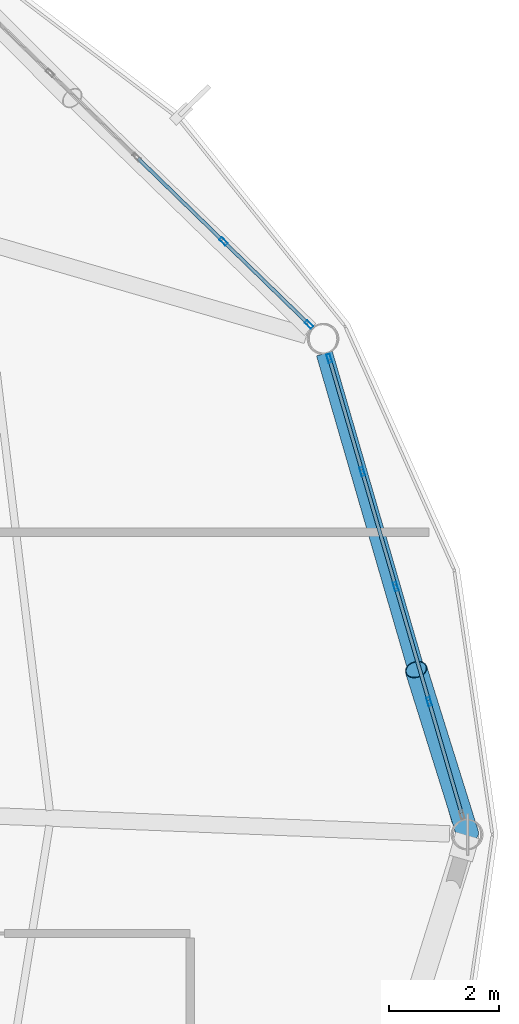
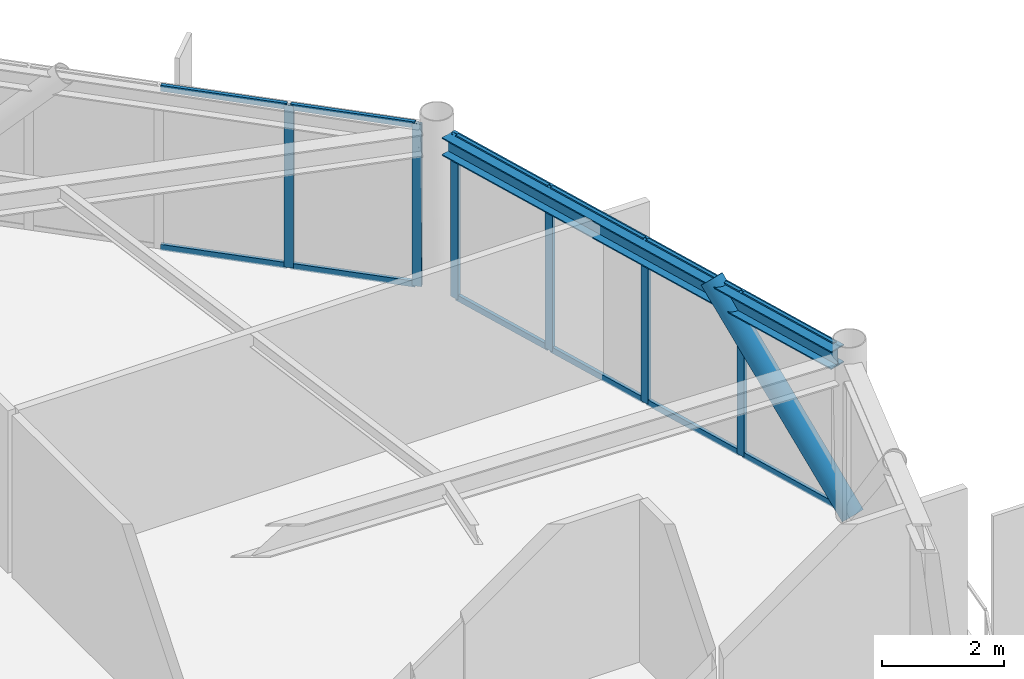
# One storey, part 17 of 28: 19 members, 1 beam, 2 elements without a shape of their own.
"""IFC4 building model written with IfcOpenShell, lengths in metres."""

import ifcopenshell
import ifcopenshell.guid

model = None  # the IFC model being written
_history = None  # IfcOwnerHistory: only IFC2X3 demands one
_inside = {}  # id of a spatial element -> (the spatial element, [elements in it])
_under = {}  # id of a project, library or spatial element -> (it, [spatial elements below it])
_declared = {}  # id of a project -> (the project, [libraries it declares])
_typed = {}  # id of a type object -> (the type object, [elements of that type])
_made_of = {}  # id of a material, layer set ... -> (it, [elements and type objects made of it])


def new_model(schema):
    """Start an empty IFC model of exactly this schema.

    Asked for "IFC4X3", IfcOpenShell would pick the latest addendum, in which some entities
    have other attributes; the version numbers below select the first issue.
    IFC2X3 requires an IfcOwnerHistory on every rooted entity: one is made here for all.
    """
    global model, _history
    if schema == "IFC4X3":
        model = ifcopenshell.file(schema_version=(4, 3, 0, 0))
    else:
        model = ifcopenshell.file(schema=schema)
    _inside.clear()
    _under.clear()
    _declared.clear()
    _typed.clear()
    _made_of.clear()
    _history = None
    if model.schema == "IFC2X3":
        org = make("IfcOrganization", Name="unknown")
        user = make(
            "IfcPersonAndOrganization",
            ThePerson=make("IfcPerson", FamilyName="unknown"),
            TheOrganization=org,
        )
        app = make(
            "IfcApplication",
            ApplicationDeveloper=org,
            Version="unknown",
            ApplicationFullName="unknown",
            ApplicationIdentifier="unknown",
        )
        _history = make(
            "IfcOwnerHistory",
            OwningUser=user,
            OwningApplication=app,
            ChangeAction="ADDED",
            CreationDate=0,
        )
    return model


def make(cls, **values):
    """One entity of the class cls with the attributes given. An attribute that is None is left unset."""
    return model.create_entity(
        cls, **{name: value for name, value in values.items() if value is not None}
    )


def rooted(cls, **values):
    """An entity with a GlobalId (a new one), such as an element, a storey or a relation."""
    return make(cls, GlobalId=ifcopenshell.guid.new(), OwnerHistory=_history, **values)


def si_unit(unit_type, name, prefix=None):
    """IfcSIUnit, for example si_unit("LENGTHUNIT", "METRE", prefix="MILLI")."""
    return make("IfcSIUnit", UnitType=unit_type, Prefix=prefix, Name=name)


def assignment(units):
    """IfcUnitAssignment: the units of a project."""
    return None if units is None else make("IfcUnitAssignment", Units=units)


def point(xyz):
    """IfcCartesianPoint."""
    return None if xyz is None else make("IfcCartesianPoint", Coordinates=xyz)


def direction(xyz):
    """IfcDirection."""
    return None if xyz is None else make("IfcDirection", DirectionRatios=xyz)


def frame(location, z_axis=None, x_axis=None):
    """IfcAxis2Placement3D, a coordinate frame: its origin and axes. An axis left out is left unset."""
    return make(
        "IfcAxis2Placement3D",
        Location=point(location),
        Axis=direction(z_axis),
        RefDirection=direction(x_axis),
    )


def frame_2d(location, x_axis=None):
    """IfcAxis2Placement2D, a coordinate frame in the plane: its origin and x axis."""
    return make(
        "IfcAxis2Placement2D", Location=point(location), RefDirection=direction(x_axis)
    )


def origin():
    """The frame at (0, 0, 0) with its axes left unset."""
    return frame((0.0, 0.0, 0.0))


def origin_2d():
    """The frame at (0, 0) in the plane with its x axis left unset."""
    return frame_2d((0.0, 0.0))


def place(relative_to, where):
    """IfcLocalPlacement: puts the frame where relative to a parent placement (None: the world)."""
    return make(
        "IfcLocalPlacement", PlacementRelTo=relative_to, RelativePlacement=where
    )


def context(
    kind, dimensions, precision=None, world=None, true_north=None, identifier=None
):
    """IfcGeometricRepresentationContext, for example the 3D "Model" context."""
    return make(
        "IfcGeometricRepresentationContext",
        ContextIdentifier=identifier,
        ContextType=kind,
        CoordinateSpaceDimension=dimensions,
        Precision=precision,
        WorldCoordinateSystem=world,
        TrueNorth=true_north,
    )


def subcontext(parent, identifier, kind, view, scale=None):
    """IfcGeometricRepresentationSubContext, for example "Body" below "Model"."""
    return make(
        "IfcGeometricRepresentationSubContext",
        ContextIdentifier=identifier,
        ContextType=kind,
        ParentContext=parent,
        TargetScale=scale,
        TargetView=view,
    )


def project(units=None, contexts=None):
    """IfcProject with its units and contexts."""
    return rooted(
        "IfcProject",
        Name="project",
        RepresentationContexts=contexts,
        UnitsInContext=assignment(units),
    )


def spatial(cls, under=None, at=None, **own):
    """A site, building, storey or space (cls), placed at a placement, below another one or the project."""
    s = rooted(cls, ObjectPlacement=at, **own)
    if under is not None:
        _under.setdefault(under.id(), (under, []))[1].append(s)
    return s


def profile(cls, at=None, kind="AREA", **sizes):
    """A parametric profile (cls). Its sizes go by their IFC names, for example OverallWidth=200.0."""
    return make(cls, ProfileType=kind, Position=at, **sizes)


def hollow_rectangle(**sizes):
    """IfcRectangleHollowProfileDef."""
    return profile("IfcRectangleHollowProfileDef", **sizes)


def hollow_circle(**sizes):
    """IfcCircleHollowProfileDef."""
    return profile("IfcCircleHollowProfileDef", **sizes)


def i_section(**sizes):
    """IfcIShapeProfileDef."""
    return profile("IfcIShapeProfileDef", **sizes)


def extrude(swept, where, along, depth):
    """IfcExtrudedAreaSolid: the profile swept, set in the frame where, extruded along a direction by depth."""
    return make(
        "IfcExtrudedAreaSolid",
        SweptArea=swept,
        Position=where,
        ExtrudedDirection=direction(along),
        Depth=depth,
    )


def shape(context_of_items, identifier, shape_type, items):
    """IfcShapeRepresentation: the items that make up one representation, for example the "Body"."""
    return make(
        "IfcShapeRepresentation",
        ContextOfItems=context_of_items,
        RepresentationIdentifier=identifier,
        RepresentationType=shape_type,
        Items=items,
    )


def material(Name=None, Category=None):
    """IfcMaterial."""
    return make("IfcMaterial", Name=Name, Category=Category)


def layer(
    of_material, thickness, ventilated=None, Name=None, Category=None, Priority=None
):
    """IfcMaterialLayer: one layer of a wall or slab, of a material (None: an air gap)."""
    return make(
        "IfcMaterialLayer",
        Material=of_material,
        LayerThickness=thickness,
        IsVentilated=ventilated,
        Name=Name,
        Category=Category,
        Priority=Priority,
    )


def layer_set(layers, Name=None):
    """IfcMaterialLayerSet."""
    return make("IfcMaterialLayerSet", MaterialLayers=layers, LayerSetName=Name)


def material_profile(
    of_material, cross_section, Name=None, Category=None, Priority=None
):
    """IfcMaterialProfile: a cross section and its material."""
    return make(
        "IfcMaterialProfile",
        Name=Name,
        Material=of_material,
        Profile=cross_section,
        Priority=Priority,
        Category=Category,
    )


def profile_set(profiles, Name=None, composite=None):
    """IfcMaterialProfileSet."""
    return make(
        "IfcMaterialProfileSet",
        Name=Name,
        MaterialProfiles=profiles,
        CompositeProfile=composite,
    )


def made_of(thing, what):
    """Note that an element or type object is made of a material, layer set ...; save() writes the relation."""
    if what is not None:
        _made_of.setdefault(what.id(), (what, []))[1].append(thing)
    return thing


def type_object(cls, material=None, **own):
    """A type object (cls), such as IfcWallType, which elements share."""
    return made_of(rooted(cls, **own), material)


def element(
    cls,
    number,
    at=None,
    inside=None,
    cuts=None,
    type_object=None,
    material=None,
    context=None,
    identifier="Body",
    shape_type=None,
    held_by="IfcProductDefinitionShape",
    body=None,
    shapes=None,
    **own,
):
    """One element of the class cls, such as IfcWall. Its Tag is "e" and its number.

    at: its placement. inside: the storey or other place that contains it. cuts: it is an
    opening in that element (IfcRelVoidsElement). A single representation is given by context,
    identifier, shape_type and body (its items); several are given by shapes. held_by: the class
    of the entity that holds the representations. save() writes the other relations.
    """
    e = rooted(cls, Tag="e%d" % number, ObjectPlacement=at, **own)
    if body is not None:
        shapes = [shape(context, identifier, shape_type, body)]
    if shapes is not None:
        e.Representation = make(held_by, Representations=shapes)
    if inside is not None:
        _inside.setdefault(inside.id(), (inside, []))[1].append(e)
    if cuts is not None:
        rooted(
            "IfcRelVoidsElement", RelatingBuildingElement=cuts, RelatedOpeningElement=e
        )
    if type_object is not None:
        _typed.setdefault(type_object.id(), (type_object, []))[1].append(e)
    return made_of(e, material)


def aggregate(whole, parts):
    """IfcRelAggregates: a whole, such as a stair, and the parts it consists of."""
    return rooted("IfcRelAggregates", RelatingObject=whole, RelatedObjects=parts)


def save(model, path):
    """Write the relations noted so far, then the file.

    IfcRelAggregates (storeys below a building ...), IfcRelContainedInSpatialStructure (elements
    in a storey), IfcRelDefinesByType, IfcRelAssociatesMaterial and IfcRelDeclares: one each for
    every whole, place, type object, material and project.
    """
    for whole, parts in _under.values():
        aggregate(whole, parts)
    for where, things in _inside.values():
        rooted(
            "IfcRelContainedInSpatialStructure",
            RelatedElements=things,
            RelatingStructure=where,
        )
    for kind, things in _typed.values():
        rooted("IfcRelDefinesByType", RelatedObjects=things, RelatingType=kind)
    for what, things in _made_of.values():
        rooted("IfcRelAssociatesMaterial", RelatedObjects=things, RelatingMaterial=what)
    for by, libraries in _declared.values():
        rooted("IfcRelDeclares", RelatingContext=by, RelatedDefinitions=libraries)
    model.write(path)


model = new_model("IFC4")

# Units and contexts
model_context = context("Model", 3, precision=1e-05, world=origin(), true_north=direction((0.0, 1.0)))
body_context = subcontext(model_context, "Body", "Model", "MODEL_VIEW")
ifc_project = project(units=[si_unit("LENGTHUNIT", "METRE"), si_unit("AREAUNIT", "SQUARE_METRE"), si_unit("VOLUMEUNIT", "CUBIC_METRE"), si_unit("PLANEANGLEUNIT", "RADIAN"), si_unit("MASSUNIT", "GRAM", prefix="KILO")], contexts=[model_context])

# Site, building, storey
site_placement = place(None, origin())
site = spatial("IfcSite", under=ifc_project, at=site_placement, CompositionType="ELEMENT")
building_placement = place(site_placement, origin())
building = spatial("IfcBuilding", under=site, at=building_placement, Name="Varnakorn Sky Granary", CompositionType="ELEMENT")
storey_placement = place(building_placement, frame((0.0, 0.0, 236.39990234375)))
storey = spatial("IfcBuildingStorey", under=building, at=storey_placement, Name="L60", CompositionType="ELEMENT", Elevation=236.39990234375)

# Beam
ifc_material_1 = material(Name="Steel S355JR", Category="steel")
ifc_material_profile_1 = material_profile(ifc_material_1, i_section(OverallWidth=0.300048828125, OverallDepth=0.360107421875, WebThickness=0.012451171875, FlangeThickness=0.0224609375, at=origin_2d()), Name="HE 360 B")
ifc_profile_set_1 = profile_set([ifc_material_profile_1], Name="Steel S355JR")
beam_type = type_object("IfcBeamType", Name="BM-SPD-Z5", PredefinedType="SPANDREL", material=ifc_profile_set_1)
beam_placement = place(storey_placement, frame((23.4072265625, 0.25390625, 3.070068359375), z_axis=(-0.278746965236, 0.960364581485, 0.0), x_axis=(-0.960364581485, -0.278746965236, 0.0)))
element("IfcBeam", 1, at=beam_placement, inside=storey, type_object=beam_type, Name="Perimeter Spandrel Ring Beam RB01 L60", PredefinedType="SPANDREL", context=body_context, shape_type="SweptSolid", body=[
    extrude(i_section(OverallWidth=0.300048828125, OverallDepth=0.360107421875, WebThickness=0.012451171875, FlangeThickness=0.0224609375, at=origin_2d()), origin(), (0.0, 0.0, 1.0), 8.84521484375),
])

# Curtain wall, members
ifc_material_2 = material(Name="Anodised Bronze Aluminium Alloy 6063-T6", Category="aluminium")
ifc_layer = layer(ifc_material_2, 0.159912109375, Name="Anodised Bronze Aluminium Alloy 6063-T6")
ifc_layer_set = layer_set([ifc_layer], Name="Anodised Bronze Aluminium Alloy 6063-T6")
curtain_wall_type = type_object("IfcCurtainWallType", Name="CW-OFF-1", PredefinedType="USERDEFINED", material=ifc_layer_set)
curtain_wall_1_placement = place(storey_placement, origin())
curtain_wall_1 = element("IfcCurtainWall", 2, at=curtain_wall_1_placement, inside=storey, type_object=curtain_wall_type, Name="Unitised Curtain Wall CW6 CW-L60-B01", ObjectType="CURTAIN WALL", PredefinedType="USERDEFINED")
ifc_material_profile_2 = material_profile(ifc_material_2, hollow_rectangle(XDim=0.06494140625, YDim=0.159912109375, WallThickness=0.00341796875, at=origin_2d()), Name="ALU MULL 65x160")
ifc_profile_set_2 = profile_set([ifc_material_profile_2], Name="Anodised Bronze Aluminium Alloy 6063-T6")
member_type_1 = type_object("IfcMemberType", Name="CW-OFF-1-MULL", PredefinedType="MULLION", material=ifc_profile_set_2)
member_1_placement = place(storey_placement, frame((21.02978515625, 8.662353515625, 0.0), z_axis=(0.0, 0.0, 1.0), x_axis=(0.960250122015, 0.279141009475, 0.0)))
member_1 = element("IfcMember", 3, at=member_1_placement, type_object=member_type_1, Name="CW6 mullion 1", PredefinedType="MULLION", context=body_context, shape_type="SweptSolid", body=[
    extrude(hollow_rectangle(XDim=0.06494140625, YDim=0.159912109375, WallThickness=0.00341796875, at=origin_2d()), origin(), (0.0, 0.0, 1.0), 3.25),
])
member_2_placement = place(storey_placement, frame((21.62890625, 6.6015625, 0.0), z_axis=(0.0, 0.0, 1.0), x_axis=(0.960250122015, 0.279141009475, 0.0)))
member_2 = element("IfcMember", 4, at=member_2_placement, type_object=member_type_1, Name="CW6 mullion 2", PredefinedType="MULLION", context=body_context, shape_type="SweptSolid", body=[
    extrude(hollow_rectangle(XDim=0.06494140625, YDim=0.159912109375, WallThickness=0.00341796875, at=origin_2d()), origin(), (0.0, 0.0, 1.0), 3.25),
])
member_3_placement = place(storey_placement, frame((22.237060546875, 4.509765625, 0.0), z_axis=(0.0, 0.0, 1.0), x_axis=(0.960250122015, 0.279141009475, 0.0)))
member_3 = element("IfcMember", 5, at=member_3_placement, type_object=member_type_1, Name="CW6 mullion 3", PredefinedType="MULLION", context=body_context, shape_type="SweptSolid", body=[
    extrude(hollow_rectangle(XDim=0.06494140625, YDim=0.159912109375, WallThickness=0.00341796875, at=origin_2d()), origin(), (0.0, 0.0, 1.0), 3.25),
])
member_4_placement = place(storey_placement, frame((22.84521484375, 2.41796875, 0.0), z_axis=(0.0, 0.0, 1.0), x_axis=(0.960250122015, 0.279141009475, 0.0)))
member_4 = element("IfcMember", 6, at=member_4_placement, type_object=member_type_1, Name="CW6 mullion 4", PredefinedType="MULLION", context=body_context, shape_type="SweptSolid", body=[
    extrude(hollow_rectangle(XDim=0.06494140625, YDim=0.159912109375, WallThickness=0.00341796875, at=origin_2d()), origin(), (0.0, 0.0, 1.0), 3.25),
])

curtain_wall_2_placement = place(storey_placement, origin())
curtain_wall_2 = element("IfcCurtainWall", 7, at=curtain_wall_2_placement, inside=storey, type_object=curtain_wall_type, Name="Unitised Curtain Wall CW6 CW-L60-B02", ObjectType="CURTAIN WALL", PredefinedType="USERDEFINED")
member_5_placement = place(storey_placement, frame((19.105712890625, 10.78857421875, 0.0), z_axis=(0.0, 0.0, 1.0), x_axis=(0.69691520137, 0.717153541509, 0.0)))
member_5 = element("IfcMember", 8, at=member_5_placement, type_object=member_type_1, Name="CW6 mullion 4", PredefinedType="MULLION", context=body_context, shape_type="SweptSolid", body=[
    extrude(hollow_rectangle(XDim=0.06494140625, YDim=0.159912109375, WallThickness=0.00341796875, at=origin_2d()), origin(), (0.0, 0.0, 1.0), 3.25),
])
member_6_placement = place(storey_placement, frame((20.6591796875, 9.27880859375, 0.0), z_axis=(0.0, 0.0, 1.0), x_axis=(0.69691520137, 0.717153541509, 0.0)))
member_6 = element("IfcMember", 9, at=member_6_placement, type_object=member_type_1, Name="CW6 mullion 5", PredefinedType="MULLION", context=body_context, shape_type="SweptSolid", body=[
    extrude(hollow_rectangle(XDim=0.06494140625, YDim=0.159912109375, WallThickness=0.00341796875, at=origin_2d()), origin(), (0.0, 0.0, 1.0), 3.25),
])

# Member
ifc_material_profile_3 = material_profile(ifc_material_2, hollow_rectangle(XDim=0.06494140625, YDim=0.1201171875, WallThickness=0.00341796875, at=origin_2d()), Name="ALU TRAN 65x120")
ifc_profile_set_3 = profile_set([ifc_material_profile_3], Name="Anodised Bronze Aluminium Alloy 6063-T6")
member_type_2 = type_object("IfcMemberType", Name="CW-OFF-1-TRAN", PredefinedType="USERDEFINED", material=ifc_profile_set_3)
member_7_placement = place(storey_placement, frame((21.0390625, 8.631103515625, 0.03271484375), z_axis=(0.279103368322, -0.960261063353, 0.0), x_axis=(0.960261063353, 0.279103368322, 0.0)))
member_7 = element("IfcMember", 10, at=member_7_placement, type_object=member_type_2, Name="CW6 transom 1.1", ObjectType="TRANSOM", PredefinedType="USERDEFINED", context=body_context, shape_type="SweptSolid", body=[
    extrude(hollow_rectangle(XDim=0.06494140625, YDim=0.1201171875, WallThickness=0.00341796875, at=origin_2d()), origin(), (0.0, 0.0, 1.0), 2.0810546875),
])

member_8_placement = place(storey_placement, frame((21.0390625, 8.631103515625, 3.217529296875), z_axis=(0.279103368322, -0.960261063353, 0.0), x_axis=(0.960261063353, 0.279103368322, 0.0)))
member_8 = element("IfcMember", 11, at=member_8_placement, type_object=member_type_2, Name="CW6 transom 1.2", ObjectType="TRANSOM", PredefinedType="USERDEFINED", context=body_context, shape_type="SweptSolid", body=[
    extrude(hollow_rectangle(XDim=0.06494140625, YDim=0.1201171875, WallThickness=0.00341796875, at=origin_2d()), origin(), (0.0, 0.0, 1.0), 2.0810546875),
])

member_9_placement = place(storey_placement, frame((21.637939453125, 6.5703125, 0.03271484375), z_axis=(0.279219156574, -0.960227401506, 0.0), x_axis=(0.960227401506, 0.279219156574, 0.0)))
member_9 = element("IfcMember", 12, at=member_9_placement, type_object=member_type_2, Name="CW6 transom 2.1", ObjectType="TRANSOM", PredefinedType="USERDEFINED", context=body_context, shape_type="SweptSolid", body=[
    extrude(hollow_rectangle(XDim=0.06494140625, YDim=0.1201171875, WallThickness=0.00341796875, at=origin_2d()), origin(), (0.0, 0.0, 1.0), 2.11328125),
])

member_10_placement = place(storey_placement, frame((21.637939453125, 6.5703125, 3.217529296875), z_axis=(0.279219156574, -0.960227401506, 0.0), x_axis=(0.960227401506, 0.279219156574, 0.0)))
member_10 = element("IfcMember", 13, at=member_10_placement, type_object=member_type_2, Name="CW6 transom 2.2", ObjectType="TRANSOM", PredefinedType="USERDEFINED", context=body_context, shape_type="SweptSolid", body=[
    extrude(hollow_rectangle(XDim=0.06494140625, YDim=0.1201171875, WallThickness=0.00341796875, at=origin_2d()), origin(), (0.0, 0.0, 1.0), 2.11328125),
])

member_11_placement = place(storey_placement, frame((22.24609375, 4.478515625, 0.03271484375), z_axis=(0.279081674735, -0.960267368407, 0.0), x_axis=(0.960267368407, 0.279081674735, 0.0)))
member_11 = element("IfcMember", 14, at=member_11_placement, type_object=member_type_2, Name="CW6 transom 3.1", ObjectType="TRANSOM", PredefinedType="USERDEFINED", context=body_context, shape_type="SweptSolid", body=[
    extrude(hollow_rectangle(XDim=0.06494140625, YDim=0.1201171875, WallThickness=0.00341796875, at=origin_2d()), origin(), (0.0, 0.0, 1.0), 2.113525390625),
])

member_12_placement = place(storey_placement, frame((22.24609375, 4.478515625, 3.217529296875), z_axis=(0.279081674735, -0.960267368407, 0.0), x_axis=(0.960267368407, 0.279081674735, 0.0)))
member_12 = element("IfcMember", 15, at=member_12_placement, type_object=member_type_2, Name="CW6 transom 3.2", ObjectType="TRANSOM", PredefinedType="USERDEFINED", context=body_context, shape_type="SweptSolid", body=[
    extrude(hollow_rectangle(XDim=0.06494140625, YDim=0.1201171875, WallThickness=0.00341796875, at=origin_2d()), origin(), (0.0, 0.0, 1.0), 2.113525390625),
])

member_13_placement = place(storey_placement, frame((22.854248046875, 2.38671875, 0.03271484375), z_axis=(0.279103368322, -0.960261063353, 0.0), x_axis=(0.960261063353, 0.279103368322, 0.0)))
member_13 = element("IfcMember", 16, at=member_13_placement, type_object=member_type_2, Name="CW6 transom 4.1", ObjectType="TRANSOM", PredefinedType="USERDEFINED", context=body_context, shape_type="SweptSolid", body=[
    extrude(hollow_rectangle(XDim=0.06494140625, YDim=0.1201171875, WallThickness=0.00341796875, at=origin_2d()), origin(), (0.0, 0.0, 1.0), 2.0810546875),
])

member_14_placement = place(storey_placement, frame((22.854248046875, 2.38671875, 3.217529296875), z_axis=(0.279103368322, -0.960261063353, 0.0), x_axis=(0.960261063353, 0.279103368322, 0.0)))
member_14 = element("IfcMember", 17, at=member_14_placement, type_object=member_type_2, Name="CW6 transom 4.2", ObjectType="TRANSOM", PredefinedType="USERDEFINED", context=body_context, shape_type="SweptSolid", body=[
    extrude(hollow_rectangle(XDim=0.06494140625, YDim=0.1201171875, WallThickness=0.00341796875, at=origin_2d()), origin(), (0.0, 0.0, 1.0), 2.0810546875),
])

aggregate(curtain_wall_1, [member_1, member_2, member_3, member_4, member_7, member_8, member_9, member_10, member_11, member_12, member_13, member_14])

member_15_placement = place(storey_placement, frame((17.552001953125, 12.298095703125, 0.03271484375), z_axis=(0.71716010082, -0.696908451514, 0.0), x_axis=(0.696908451514, 0.71716010082, 0.0)))
member_15 = element("IfcMember", 18, at=member_15_placement, type_object=member_type_2, Name="CW6 transom 3.1", ObjectType="TRANSOM", PredefinedType="USERDEFINED", context=body_context, shape_type="SweptSolid", body=[
    extrude(hollow_rectangle(XDim=0.06494140625, YDim=0.1201171875, WallThickness=0.00341796875, at=origin_2d()), origin(), (0.0, 0.0, 1.0), 2.1337890625),
])

member_16_placement = place(storey_placement, frame((17.552001953125, 12.298095703125, 3.217529296875), z_axis=(0.71716010082, -0.696908451514, 0.0), x_axis=(0.696908451514, 0.71716010082, 0.0)))
member_16 = element("IfcMember", 19, at=member_16_placement, type_object=member_type_2, Name="CW6 transom 3.2", ObjectType="TRANSOM", PredefinedType="USERDEFINED", context=body_context, shape_type="SweptSolid", body=[
    extrude(hollow_rectangle(XDim=0.06494140625, YDim=0.1201171875, WallThickness=0.00341796875, at=origin_2d()), origin(), (0.0, 0.0, 1.0), 2.1337890625),
])

member_17_placement = place(storey_placement, frame((19.12890625, 10.765869140625, 0.03271484375), z_axis=(0.717199741061, -0.696867657036, 0.0), x_axis=(0.696867657036, 0.717199741061, 0.0)))
member_17 = element("IfcMember", 20, at=member_17_placement, type_object=member_type_2, Name="CW6 transom 4.1", ObjectType="TRANSOM", PredefinedType="USERDEFINED", context=body_context, shape_type="SweptSolid", body=[
    extrude(hollow_rectangle(XDim=0.06494140625, YDim=0.1201171875, WallThickness=0.00341796875, at=origin_2d()), origin(), (0.0, 0.0, 1.0), 2.101318359375),
])

member_18_placement = place(storey_placement, frame((19.12890625, 10.765869140625, 3.217529296875), z_axis=(0.717199741061, -0.696867657036, 0.0), x_axis=(0.696867657036, 0.717199741061, 0.0)))
member_18 = element("IfcMember", 21, at=member_18_placement, type_object=member_type_2, Name="CW6 transom 4.2", ObjectType="TRANSOM", PredefinedType="USERDEFINED", context=body_context, shape_type="SweptSolid", body=[
    extrude(hollow_rectangle(XDim=0.06494140625, YDim=0.1201171875, WallThickness=0.00341796875, at=origin_2d()), origin(), (0.0, 0.0, 1.0), 2.101318359375),
])

aggregate(curtain_wall_2, [member_5, member_6, member_15, member_16, member_17, member_18])

ifc_material_3 = material(Name="Steel S460M", Category="steel")
ifc_material_profile_4 = material_profile(ifc_material_3, hollow_circle(Radius=0.203125, WallThickness=0.01611328125, at=origin_2d()), Name="CHS 406.4x16")
ifc_profile_set_4 = profile_set([ifc_material_profile_4], Name="Steel S460M")
member_type_3 = type_object("IfcMemberType", Name="MB-DIAG-T4", PredefinedType="BRACE", material=ifc_profile_set_4)
member_19_placement = place(storey_placement, frame((23.548095703125, 0.0, 0.0), z_axis=(-0.207436711369, 0.663613904071, 0.718739589211), x_axis=(-0.954456485156, -0.298350159952, 0.0)))
element("IfcMember", 22, at=member_19_placement, inside=storey, type_object=member_type_3, Name="Perimeter CHS Diagrid Brace DG01 L60", PredefinedType="BRACE", context=body_context, shape_type="SweptSolid", body=[
    extrude(hollow_circle(Radius=0.203125, WallThickness=0.01611328125, at=origin_2d()), origin(), (0.0, 0.0, 1.0), 4.521728515625),
])

save(model, "model.ifc")
